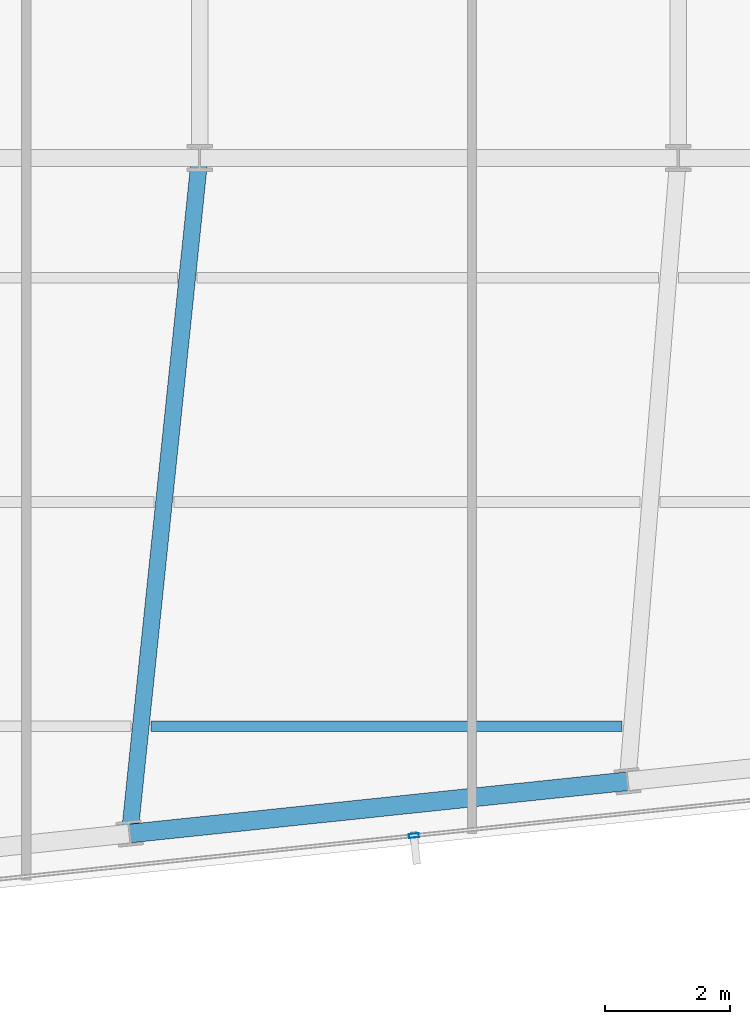
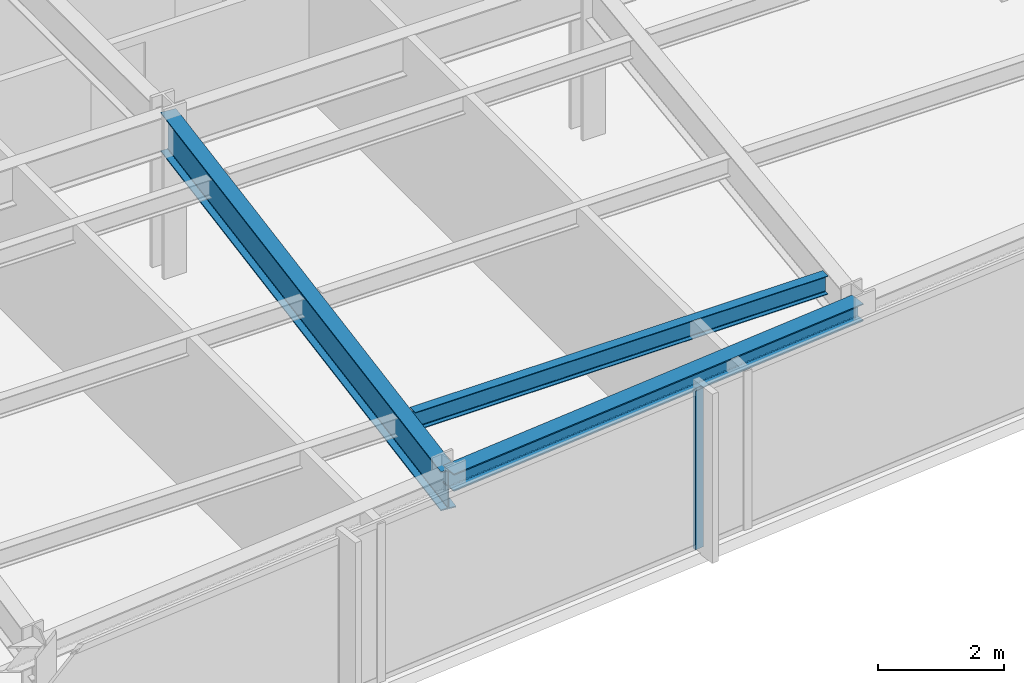
# One storey, part 8 of 32: 3 beams, 1 member, 1 element without a shape of its own.
"""IFC4 building model written with IfcOpenShell, lengths in metres."""

from ifc_helpers import new_model, si_unit, direction, frame, origin, origin_2d, place, context, subcontext, project, spatial, hollow_rectangle, i_section, extrude, material, material_profile, profile_set, type_object, element, aggregate, save


model = new_model("IFC4")

# Units and contexts
model_context = context("Model", 3, precision=1e-05, world=origin(), true_north=direction((0.0, 1.0)))
body_context = subcontext(model_context, "Body", "Model", "MODEL_VIEW")
ifc_project = project(units=[si_unit("LENGTHUNIT", "METRE"), si_unit("AREAUNIT", "SQUARE_METRE"), si_unit("VOLUMEUNIT", "CUBIC_METRE"), si_unit("PLANEANGLEUNIT", "RADIAN"), si_unit("MASSUNIT", "GRAM", prefix="KILO")], contexts=[model_context])

# Site, building, storey
site_placement = place(None, origin())
site = spatial("IfcSite", under=ifc_project, at=site_placement, CompositionType="ELEMENT")
building_placement = place(site_placement, origin())
building = spatial("IfcBuilding", under=site, at=building_placement, Name="Yelkora Congress Tower", CompositionType="ELEMENT")
storey_placement = place(building_placement, frame((0.0, 0.0, 207.800048828125)))
storey = spatial("IfcBuildingStorey", under=building, at=storey_placement, Name="L57", CompositionType="ELEMENT", Elevation=207.800048828125)

# Beams
ifc_material_1 = material(Name="Steel S355J2", Category="steel")
ifc_material_profile_1 = material_profile(ifc_material_1, i_section(OverallWidth=0.26708984375, OverallDepth=0.761962890625, WebThickness=0.014404296875, FlangeThickness=0.021484375, FilletRadius=0.01708984375, at=origin_2d()), Name="IPE 750x173")
ifc_profile_set_1 = profile_set([ifc_material_profile_1], Name="Steel S355J2")
beam_type_1 = type_object("IfcBeamType", Name="BM-GIRD-IPE750", PredefinedType="BEAM", material=ifc_profile_set_1)
beam_1_placement = place(storey_placement, frame((37.277587890625, 14.35791015625, 2.698974609375), z_axis=(0.102964870035, 0.99468499312, 0.0), x_axis=(-0.99468499312, 0.102964870035, 0.0)))
element("IfcBeam", 1, at=beam_1_placement, inside=storey, type_object=beam_type_1, Name="L57 Primary Frame Girder S03", PredefinedType="BEAM", context=body_context, shape_type="SweptSolid", body=[
    extrude(i_section(OverallWidth=0.26708984375, OverallDepth=0.761962890625, WebThickness=0.014404296875, FlangeThickness=0.021484375, FilletRadius=0.01708984375, at=origin_2d()), origin(), (0.0, 0.0, 1.0), 10.89990234375),
])
ifc_material_profile_2 = material_profile(ifc_material_1, i_section(OverallWidth=0.169921875, OverallDepth=0.360107421875, WebThickness=0.008056640625, FlangeThickness=0.0126953125, FilletRadius=0.01806640625, at=origin_2d()), Name="IPE 360")
ifc_profile_set_2 = profile_set([ifc_material_profile_2], Name="Steel S355J2")
beam_type_2 = type_object("IfcBeamType", Name="BM-JOIST-IPE360", PredefinedType="JOIST", material=ifc_profile_set_2)
beam_2_placement = place(storey_placement, frame((37.61572265625, 16.07861328125, 2.89990234375), z_axis=(1.0, 0.0, 0.0), x_axis=(0.0, 1.0, 0.0)))
element("IfcBeam", 2, at=beam_2_placement, inside=storey, type_object=beam_type_2, Name="L57 Composite Floor Joist 2", PredefinedType="JOIST", context=body_context, shape_type="SweptSolid", body=[
    extrude(i_section(OverallWidth=0.169921875, OverallDepth=0.360107421875, WebThickness=0.008056640625, FlangeThickness=0.0126953125, FilletRadius=0.01806640625, at=origin_2d()), origin(), (0.0, 0.0, 1.0), 7.56298828125),
])
ifc_material_profile_3 = material_profile(ifc_material_1, i_section(OverallWidth=0.300048828125, OverallDepth=0.340087890625, WebThickness=0.011962890625, FlangeThickness=0.021484375, FilletRadius=0.027099609375, at=origin_2d()), Name="HEB 340")
ifc_profile_set_3 = profile_set([ifc_material_profile_3], Name="Steel S355J2")
beam_type_3 = type_object("IfcBeamType", Name="BM-SPAN-HEB340", PredefinedType="SPANDREL", material=ifc_profile_set_3)
beam_3_placement = place(storey_placement, frame((37.277587890625, 14.35791015625, 2.909912109375), z_axis=(0.99452358891, 0.104512349038, 0.0), x_axis=(-0.104512349038, 0.99452358891, 0.0)))
element("IfcBeam", 3, at=beam_3_placement, inside=storey, type_object=beam_type_3, Name="L57 Perimeter Beam 5", PredefinedType="SPANDREL", context=body_context, shape_type="SweptSolid", body=[
    extrude(i_section(OverallWidth=0.300048828125, OverallDepth=0.340087890625, WebThickness=0.011962890625, FlangeThickness=0.021484375, FilletRadius=0.027099609375, at=origin_2d()), origin(), (0.0, 0.0, 1.0), 8.033447265625),
])

# Curtain wall, member
ifc_material_2 = material(Name="Anodised aluminium and insulated glass", Category="aluminium")
curtain_wall_type = type_object("IfcCurtainWallType", Name="CW-SYS-B4", PredefinedType="NOTDEFINED", material=ifc_material_2)
curtain_wall_placement = place(storey_placement, origin())
curtain_wall = element("IfcCurtainWall", 4, at=curtain_wall_placement, inside=storey, type_object=curtain_wall_type, Name="L57 Unitised Curtain Wall 20", PredefinedType="NOTDEFINED")
ifc_material_3 = material(Name="Anodised aluminium 6063-T6", Category="aluminium")
ifc_material_profile_4 = material_profile(ifc_material_3, hollow_rectangle(XDim=0.06494140625, YDim=0.159912109375, WallThickness=0.00390625, at=origin_2d()), Name="ALU 65x160x4")
ifc_profile_set_4 = profile_set([ifc_material_profile_4], Name="Anodised aluminium 6063-T6")
member_type = type_object("IfcMemberType", Name="MEM-ML-B4", PredefinedType="MULLION", material=ifc_profile_set_4)
member_placement = place(storey_placement, frame((41.838134765625, 14.324462890625, 0.0), z_axis=(0.0, 0.0, 1.0), x_axis=(0.104526664994, -0.994522084373, 0.0)))
member = element("IfcMember", 5, at=member_placement, type_object=member_type, Name="CW-B4 mullion 5", PredefinedType="MULLION", context=body_context, shape_type="SweptSolid", body=[
    extrude(hollow_rectangle(XDim=0.06494140625, YDim=0.159912109375, WallThickness=0.00390625, at=origin_2d()), origin(), (0.0, 0.0, 1.0), 3.079833984375),
])
aggregate(curtain_wall, [member])

save(model, "model.ifc")
